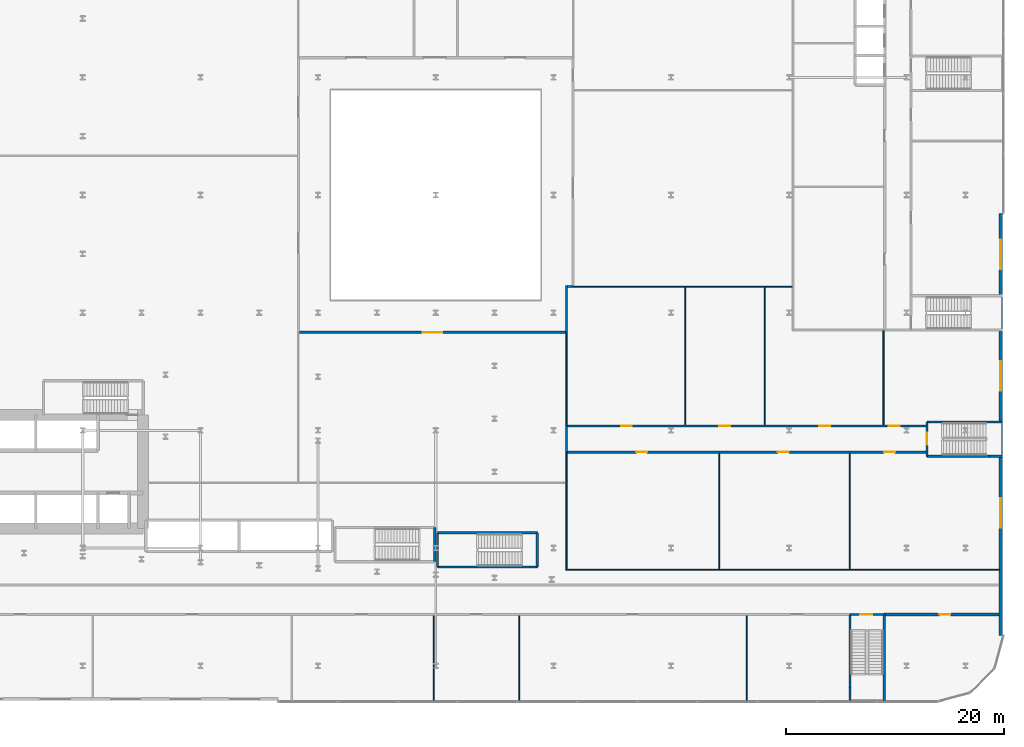
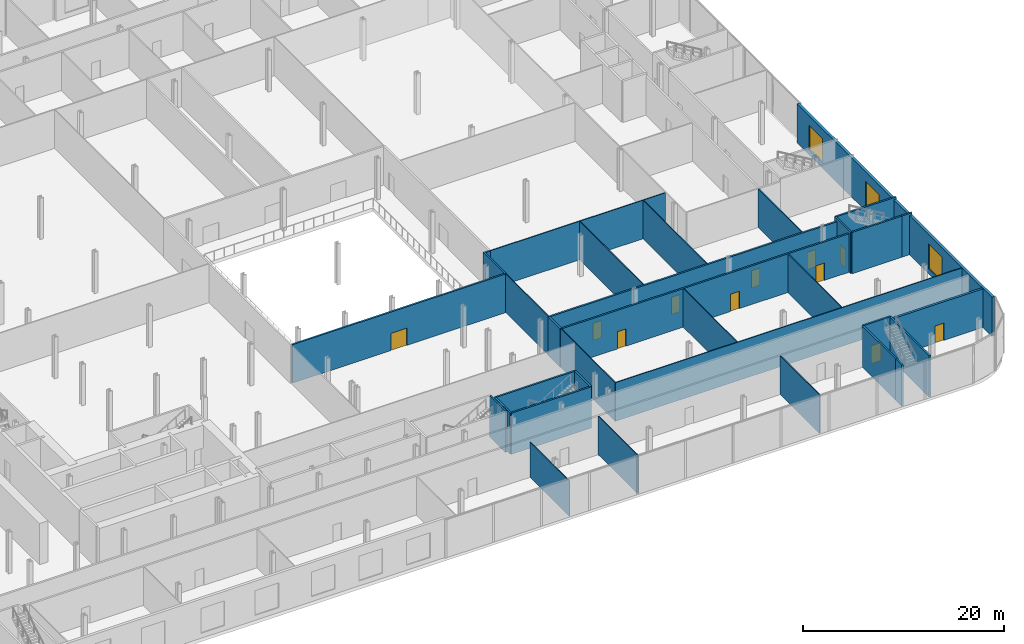
# One storey, part 31 of 47: 33 walls, 11 doors, 3 windows, 14 openings.
"""IFC4 building model written with IfcOpenShell, lengths in metres."""

from ifc_helpers import new_model, si_unit, direction, frame, frame_2d, origin, place, context, subcontext, project, spatial, rectangle, extrude, source, transform, mapped, material, layer, layer_set, type_object, element, fill, save


model = new_model("IFC4")

# Units and contexts
model_context = context("Model", 3, precision=1e-05, world=origin(), true_north=direction((0.0, 1.0)))
body_context = subcontext(model_context, "Body", "Model", "MODEL_VIEW")
ifc_project = project(units=[si_unit("LENGTHUNIT", "METRE"), si_unit("AREAUNIT", "SQUARE_METRE"), si_unit("VOLUMEUNIT", "CUBIC_METRE"), si_unit("PLANEANGLEUNIT", "RADIAN"), si_unit("MASSUNIT", "GRAM", prefix="KILO")], contexts=[model_context])

# Site, building, storey
site_placement = place(None, origin())
site = spatial("IfcSite", under=ifc_project, at=site_placement, CompositionType="ELEMENT")
building_placement = place(site_placement, origin())
building = spatial("IfcBuilding", under=site, at=building_placement, Name="Kheshtan School and Residences Tower", CompositionType="ELEMENT")
storey_placement = place(building_placement, frame((0.0, 0.0, 7.5)))
storey = spatial("IfcBuildingStorey", under=building, at=storey_placement, Name="L01", CompositionType="ELEMENT", Elevation=7.5)

# Wall, opening, door
ifc_material_1 = material(Name="Gypsum board on steel studs with fire boards", Category="steel")
ifc_layer_1 = layer(ifc_material_1, 0.199951171875)
ifc_layer_set_1 = layer_set([ifc_layer_1], Name="Corridor wall 200")
wall_type_1 = type_object("IfcWallType", Name="Corridor wall 200", PredefinedType="PARTITIONING", material=ifc_layer_set_1)
wall_1_placement = place(storey_placement, frame((67.5, 43.800048828125, 0.0), z_axis=(0.0, 0.0, 1.0), x_axis=(1.0, 0.0, 0.0)))
wall_1 = element("IfcWall", 1, at=wall_1_placement, inside=storey, type_object=wall_type_1, Name="Partition L01-032", PredefinedType="PARTITIONING", context=body_context, shape_type="SweptSolid", body=[
    extrude(rectangle(XDim=24.39990234375, YDim=0.199951171875, at=frame_2d((12.199951171875, 0.0))), origin(), (0.0, 0.0, 1.0), 4.679931640625),
])
opening_1_placement = place(wall_1_placement, frame((11.300048828125, 0.0, 0.0)))
opening_1 = element("IfcOpeningElement", 2, at=opening_1_placement, cuts=wall_1, Name="Opening D01-044", PredefinedType="OPENING", context=body_context, shape_type="SweptSolid", body=[
    extrude(rectangle(XDim=1.800048828125, YDim=2.10009765625, at=frame_2d((0.89990234375, 1.050048828125))), frame((0.0, 0.10986328125, 0.0), z_axis=(0.0, -1.0, 0.0), x_axis=(1.0, 0.0, 0.0)), (0.0, 0.0, 1.0), 0.219970703125),
])
ifc_material_2 = material(Name="Steel-framed fire-resisting door leaf", Category="steel")
door_type_1 = type_object("IfcDoorType", Name="Fire double door FD60 1800 x 2100", OperationType="DOUBLE_DOOR_SINGLE_SWING", PredefinedType="DOOR", material=ifc_material_2)
shared_shape_1 = source(origin(), body_context, "Body", "SweptSolid", [
    extrude(rectangle(XDim=1.800048828125, YDim=2.10009765625, at=frame_2d((0.89990234375, 1.050048828125))), frame((0.0, 0.02490234375, 0.0), z_axis=(0.0, -1.0, 0.0), x_axis=(1.0, 0.0, 0.0)), (0.0, 0.0, 1.0), 0.050048828125),
])
door_1_placement = place(opening_1_placement, origin())
door_1 = element("IfcDoor", 3, at=door_1_placement, inside=storey, type_object=door_type_1, Name="Door D01-044", OperationType="DOUBLE_DOOR_SINGLE_SWING", OverallHeight=2.10009765625, OverallWidth=1.800048828125, PredefinedType="DOOR", context=body_context, shape_type="MappedRepresentation", body=[
    mapped(shared_shape_1, transform((0.0, 0.0, 0.0), x_axis=(1.0, 0.0, 0.0), y_axis=(0.0, 1.0, 0.0), z_axis=(0.0, 0.0, 1.0), scale=1.0)),
])
fill(opening_1, door_1)

# Walls
wall_2_placement = place(storey_placement, frame((92.0, 32.800048828125, 0.0), z_axis=(0.0, 0.0, 1.0), x_axis=(0.0, 1.0, 0.0)))
element("IfcWall", 4, at=wall_2_placement, inside=storey, type_object=wall_type_1, Name="Partition L01-047", PredefinedType="PARTITIONING", context=body_context, shape_type="SweptSolid", body=[
    extrude(rectangle(XDim=2.39990234375, YDim=0.199951171875, at=frame_2d((1.199951171875, 0.0))), origin(), (0.0, 0.0, 1.0), 4.679931640625),
])
wall_3_placement = place(storey_placement, frame((92.0, 43.800048828125, 0.0), z_axis=(0.0, 0.0, 1.0), x_axis=(0.0, 1.0, 0.0)))
element("IfcWall", 5, at=wall_3_placement, inside=storey, type_object=wall_type_1, Name="Partition L01-049", PredefinedType="PARTITIONING", context=body_context, shape_type="SweptSolid", body=[
    extrude(rectangle(XDim=4.300048828125, YDim=0.199951171875, at=frame_2d((2.14990234375, 0.0))), origin(), (0.0, 0.0, 1.0), 4.679931640625),
])

# Wall, openings, doors
wall_4_placement = place(storey_placement, frame((92.10009765625, 32.800048828125, 0.0), z_axis=(0.0, 0.0, 1.0), x_axis=(1.0, 0.0, 0.0)))
wall_4 = element("IfcWall", 6, at=wall_4_placement, inside=storey, type_object=wall_type_1, Name="Partition L01-050", PredefinedType="PARTITIONING", context=body_context, shape_type="SweptSolid", body=[
    extrude(rectangle(XDim=32.880859375, YDim=0.199951171875, at=frame_2d((16.4404296875, 0.0))), origin(), (0.0, 0.0, 1.0), 4.679931640625),
])
opening_2_placement = place(wall_4_placement, frame((6.300048828125, 0.0, 0.0)))
opening_2 = element("IfcOpeningElement", 7, at=opening_2_placement, cuts=wall_4, Name="Opening D01-045", PredefinedType="OPENING", context=body_context, shape_type="SweptSolid", body=[
    extrude(rectangle(XDim=1.0, YDim=2.10009765625, at=frame_2d((0.5, 1.050048828125))), frame((0.0, 0.10986328125, 0.0), z_axis=(0.0, -1.0, 0.0), x_axis=(1.0, 0.0, 0.0)), (0.0, 0.0, 1.0), 0.219970703125),
])
opening_3_placement = place(wall_4_placement, frame((19.300048828125, 0.0, 0.0)))
opening_3 = element("IfcOpeningElement", 8, at=opening_3_placement, cuts=wall_4, Name="Opening D01-046", PredefinedType="OPENING", context=body_context, shape_type="SweptSolid", body=[
    extrude(rectangle(XDim=1.0, YDim=2.10009765625, at=frame_2d((0.5, 1.050048828125))), frame((0.0, 0.10986328125, 0.0), z_axis=(0.0, -1.0, 0.0), x_axis=(1.0, 0.0, 0.0)), (0.0, 0.0, 1.0), 0.219970703125),
])
opening_4_placement = place(wall_4_placement, frame((29.050048828125, 0.0, 0.0)))
opening_4 = element("IfcOpeningElement", 9, at=opening_4_placement, cuts=wall_4, Name="Opening D01-047", PredefinedType="OPENING", context=body_context, shape_type="SweptSolid", body=[
    extrude(rectangle(XDim=1.0, YDim=2.10009765625, at=frame_2d((0.5, 1.050048828125))), frame((0.0, 0.10986328125, 0.0), z_axis=(0.0, -1.0, 0.0), x_axis=(1.0, 0.0, 0.0)), (0.0, 0.0, 1.0), 0.219970703125),
])
door_type_2 = type_object("IfcDoorType", Name="Fire door FD60 1000 x 2100", OperationType="SINGLE_SWING_LEFT", PredefinedType="DOOR", material=ifc_material_2)
shared_shape_2 = source(origin(), body_context, "Body", "SweptSolid", [
    extrude(rectangle(XDim=1.0, YDim=2.10009765625, at=frame_2d((0.5, 1.050048828125))), frame((0.0, 0.02490234375, 0.0), z_axis=(0.0, -1.0, 0.0), x_axis=(1.0, 0.0, 0.0)), (0.0, 0.0, 1.0), 0.050048828125),
])
door_2_placement = place(opening_2_placement, origin())
door_2 = element("IfcDoor", 10, at=door_2_placement, inside=storey, type_object=door_type_2, Name="Door D01-045", OperationType="SINGLE_SWING_RIGHT", OverallHeight=2.10009765625, OverallWidth=1.0, PredefinedType="DOOR", context=body_context, shape_type="MappedRepresentation", body=[
    mapped(shared_shape_2, transform((0.0, 0.0, 0.0), x_axis=(1.0, 0.0, 0.0), y_axis=(0.0, 1.0, 0.0), z_axis=(0.0, 0.0, 1.0), scale=1.0)),
])
fill(opening_2, door_2)
door_3_placement = place(opening_3_placement, origin())
door_3 = element("IfcDoor", 11, at=door_3_placement, inside=storey, type_object=door_type_2, Name="Door D01-046", OperationType="SINGLE_SWING_RIGHT", OverallHeight=2.10009765625, OverallWidth=1.0, PredefinedType="DOOR", context=body_context, shape_type="MappedRepresentation", body=[
    mapped(shared_shape_2, transform((0.0, 0.0, 0.0), x_axis=(1.0, 0.0, 0.0), y_axis=(0.0, 1.0, 0.0), z_axis=(0.0, 0.0, 1.0), scale=1.0)),
])
fill(opening_3, door_3)
door_4_placement = place(opening_4_placement, origin())
door_4 = element("IfcDoor", 12, at=door_4_placement, inside=storey, type_object=door_type_2, Name="Door D01-047", OperationType="SINGLE_SWING_LEFT", OverallHeight=2.10009765625, OverallWidth=1.0, PredefinedType="DOOR", context=body_context, shape_type="MappedRepresentation", body=[
    mapped(shared_shape_2, transform((0.0, 0.0, 0.0), x_axis=(1.0, 0.0, 0.0), y_axis=(0.0, 1.0, 0.0), z_axis=(0.0, 0.0, 1.0), scale=1.0)),
])
fill(opening_4, door_4)

wall_5_placement = place(storey_placement, frame((92.10009765625, 35.199951171875, 0.0), z_axis=(0.0, 0.0, 1.0), x_axis=(1.0, 0.0, 0.0)))
wall_5 = element("IfcWall", 13, at=wall_5_placement, inside=storey, type_object=wall_type_1, Name="Partition L01-051", PredefinedType="PARTITIONING", context=body_context, shape_type="SweptSolid", body=[
    extrude(rectangle(XDim=32.8798828125, YDim=0.199951171875, at=frame_2d((16.43994140625, 0.0))), origin(), (0.0, 0.0, 1.0), 4.679931640625),
])
opening_5_placement = place(wall_5_placement, frame((4.908935546875, 0.0, 0.0)))
opening_5 = element("IfcOpeningElement", 14, at=opening_5_placement, cuts=wall_5, Name="Opening D01-048", PredefinedType="OPENING", context=body_context, shape_type="SweptSolid", body=[
    extrude(rectangle(XDim=1.0, YDim=2.10009765625, at=frame_2d((0.5, 1.050048828125))), frame((0.0, 0.10986328125, 0.0), z_axis=(0.0, -1.0, 0.0), x_axis=(1.0, 0.0, 0.0)), (0.0, 0.0, 1.0), 0.219970703125),
])
opening_6_placement = place(wall_5_placement, frame((13.931884765625, 0.0, 0.0)))
opening_6 = element("IfcOpeningElement", 15, at=opening_6_placement, cuts=wall_5, Name="Opening D01-049", PredefinedType="OPENING", context=body_context, shape_type="SweptSolid", body=[
    extrude(rectangle(XDim=1.0, YDim=2.10009765625, at=frame_2d((0.5, 1.050048828125))), frame((0.0, 0.10986328125, 0.0), z_axis=(0.0, -1.0, 0.0), x_axis=(1.0, 0.0, 0.0)), (0.0, 0.0, 1.0), 0.219970703125),
])
opening_7_placement = place(wall_5_placement, frame((23.091064453125, 0.0, 0.0)))
opening_7 = element("IfcOpeningElement", 16, at=opening_7_placement, cuts=wall_5, Name="Opening D01-050", PredefinedType="OPENING", context=body_context, shape_type="SweptSolid", body=[
    extrude(rectangle(XDim=1.0, YDim=2.10009765625, at=frame_2d((0.5, 1.050048828125))), frame((0.0, 0.10986328125, 0.0), z_axis=(0.0, -1.0, 0.0), x_axis=(1.0, 0.0, 0.0)), (0.0, 0.0, 1.0), 0.219970703125),
])
opening_8_placement = place(wall_5_placement, frame((29.47705078125, 0.0, 0.0)))
opening_8 = element("IfcOpeningElement", 17, at=opening_8_placement, cuts=wall_5, Name="Opening D01-051", PredefinedType="OPENING", context=body_context, shape_type="SweptSolid", body=[
    extrude(rectangle(XDim=1.0, YDim=2.10009765625, at=frame_2d((0.5, 1.050048828125))), frame((0.0, 0.10986328125, 0.0), z_axis=(0.0, -1.0, 0.0), x_axis=(1.0, 0.0, 0.0)), (0.0, 0.0, 1.0), 0.219970703125),
])
door_5_placement = place(opening_5_placement, origin())
door_5 = element("IfcDoor", 18, at=door_5_placement, inside=storey, type_object=door_type_2, Name="Door D01-048", OperationType="SINGLE_SWING_LEFT", OverallHeight=2.10009765625, OverallWidth=1.0, PredefinedType="DOOR", context=body_context, shape_type="MappedRepresentation", body=[
    mapped(shared_shape_2, transform((0.0, 0.0, 0.0), x_axis=(1.0, 0.0, 0.0), y_axis=(0.0, 1.0, 0.0), z_axis=(0.0, 0.0, 1.0), scale=1.0)),
])
fill(opening_5, door_5)
door_6_placement = place(opening_6_placement, origin())
door_6 = element("IfcDoor", 19, at=door_6_placement, inside=storey, type_object=door_type_2, Name="Door D01-049", OperationType="SINGLE_SWING_LEFT", OverallHeight=2.10009765625, OverallWidth=1.0, PredefinedType="DOOR", context=body_context, shape_type="MappedRepresentation", body=[
    mapped(shared_shape_2, transform((0.0, 0.0, 0.0), x_axis=(1.0, 0.0, 0.0), y_axis=(0.0, 1.0, 0.0), z_axis=(0.0, 0.0, 1.0), scale=1.0)),
])
fill(opening_6, door_6)
door_7_placement = place(opening_7_placement, origin())
door_7 = element("IfcDoor", 20, at=door_7_placement, inside=storey, type_object=door_type_2, Name="Door D01-050", OperationType="SINGLE_SWING_LEFT", OverallHeight=2.10009765625, OverallWidth=1.0, PredefinedType="DOOR", context=body_context, shape_type="MappedRepresentation", body=[
    mapped(shared_shape_2, transform((0.0, 0.0, 0.0), x_axis=(1.0, 0.0, 0.0), y_axis=(0.0, 1.0, 0.0), z_axis=(0.0, 0.0, 1.0), scale=1.0)),
])
fill(opening_7, door_7)
door_8_placement = place(opening_8_placement, origin())
door_8 = element("IfcDoor", 21, at=door_8_placement, inside=storey, type_object=door_type_2, Name="Door D01-051", OperationType="SINGLE_SWING_LEFT", OverallHeight=2.10009765625, OverallWidth=1.0, PredefinedType="DOOR", context=body_context, shape_type="MappedRepresentation", body=[
    mapped(shared_shape_2, transform((0.0, 0.0, 0.0), x_axis=(1.0, 0.0, 0.0), y_axis=(0.0, 1.0, 0.0), z_axis=(0.0, 0.0, 1.0), scale=1.0)),
])
fill(opening_8, door_8)

# Walls
wall_6_placement = place(storey_placement, frame((92.10009765625, 48.0, 0.0), z_axis=(0.0, 0.0, 1.0), x_axis=(1.0, 0.0, 0.0)))
element("IfcWall", 22, at=wall_6_placement, inside=storey, type_object=wall_type_1, Name="Partition L01-052", PredefinedType="PARTITIONING", context=body_context, shape_type="SweptSolid", body=[
    extrude(rectangle(XDim=0.5, YDim=0.199951171875, at=frame_2d((0.25, 0.0))), origin(), (0.0, 0.0, 1.0), 4.679931640625),
])
ifc_material_3 = material(Name="Gypsum board on steel studs", Category="steel")
ifc_layer_2 = layer(ifc_material_3, 0.10009765625)
ifc_layer_set_2 = layer_set([ifc_layer_2], Name="Gypsum partition 100")
wall_type_2 = type_object("IfcWallType", Name="Gypsum partition 100", PredefinedType="PARTITIONING", material=ifc_layer_set_2)
wall_7_placement = place(storey_placement, frame((79.825927734375, 10.0, 0.0), z_axis=(0.0, 0.0, 1.0), x_axis=(0.0, 1.0, 0.0)))
element("IfcWall", 23, at=wall_7_placement, inside=storey, type_object=wall_type_2, Name="Partition L01-038", PredefinedType="PARTITIONING", context=body_context, shape_type="SweptSolid", body=[
    extrude(rectangle(XDim=7.800048828125, YDim=0.10009765625, at=frame_2d((3.89990234375, 0.0))), origin(), (0.0, 0.0, 1.0), 4.262939453125),
])
wall_8_placement = place(storey_placement, frame((87.652099609375, 10.0, 0.0), z_axis=(0.0, 0.0, 1.0), x_axis=(0.0, 1.0, 0.0)))
element("IfcWall", 24, at=wall_8_placement, inside=storey, type_object=wall_type_2, Name="Partition L01-044", PredefinedType="PARTITIONING", context=body_context, shape_type="SweptSolid", body=[
    extrude(rectangle(XDim=7.800048828125, YDim=0.10009765625, at=frame_2d((3.89990234375, 0.0))), origin(), (0.0, 0.0, 1.0), 4.679931640625),
])
wall_9_placement = place(storey_placement, frame((91.949951171875, 22.0, 0.0), z_axis=(0.0, 0.0, 1.0), x_axis=(1.0, 0.0, 0.0)))
element("IfcWall", 25, at=wall_9_placement, inside=storey, type_object=wall_type_2, Name="Partition L01-045", PredefinedType="PARTITIONING", context=body_context, shape_type="SweptSolid", body=[
    extrude(rectangle(XDim=39.7509765625, YDim=0.10009765625, at=frame_2d((19.87548828125, 0.0))), origin(), (0.0, 0.0, 1.0), 4.679931640625),
])
wall_10_placement = place(storey_placement, frame((92.0, 22.050048828125, 0.0), z_axis=(0.0, 0.0, 1.0), x_axis=(0.0, 1.0, 0.0)))
element("IfcWall", 26, at=wall_10_placement, inside=storey, type_object=wall_type_2, Name="Partition L01-046", PredefinedType="PARTITIONING", context=body_context, shape_type="SweptSolid", body=[
    extrude(rectangle(XDim=10.75, YDim=0.10009765625, at=frame_2d((5.375, 0.0))), origin(), (0.0, 0.0, 1.0), 4.679931640625),
])
wall_11_placement = place(storey_placement, frame((92.0, 35.199951171875, 0.0), z_axis=(0.0, 0.0, 1.0), x_axis=(0.0, 1.0, 0.0)))
element("IfcWall", 27, at=wall_11_placement, inside=storey, type_object=wall_type_2, Name="Partition L01-048", PredefinedType="PARTITIONING", context=body_context, shape_type="SweptSolid", body=[
    extrude(rectangle(XDim=8.60009765625, YDim=0.10009765625, at=frame_2d((4.300048828125, 0.0))), origin(), (0.0, 0.0, 1.0), 4.679931640625),
])
wall_12_placement = place(storey_placement, frame((92.60009765625, 48.0, 0.0), z_axis=(0.0, 0.0, 1.0), x_axis=(1.0, 0.0, 0.0)))
element("IfcWall", 28, at=wall_12_placement, inside=storey, type_object=wall_type_2, Name="Partition L01-053", PredefinedType="PARTITIONING", context=body_context, shape_type="SweptSolid", body=[
    extrude(rectangle(XDim=20.137939453125, YDim=0.10009765625, at=frame_2d((10.06884765625, 0.0))), origin(), (0.0, 0.0, 1.0), 4.679931640625),
])
wall_13_placement = place(storey_placement, frame((102.908935546875, 35.300048828125, 0.0), z_axis=(0.0, 0.0, 1.0), x_axis=(0.0, 1.0, 0.0)))
element("IfcWall", 29, at=wall_13_placement, inside=storey, type_object=wall_type_2, Name="Partition L01-061", PredefinedType="PARTITIONING", context=body_context, shape_type="SweptSolid", body=[
    extrude(rectangle(XDim=12.64990234375, YDim=0.10009765625, at=frame_2d((6.324951171875, 0.0))), origin(), (0.0, 0.0, 1.0), 4.679931640625),
])
wall_14_placement = place(storey_placement, frame((106.0, 22.050048828125, 0.0), z_axis=(0.0, 0.0, 1.0), x_axis=(0.0, 1.0, 0.0)))
element("IfcWall", 30, at=wall_14_placement, inside=storey, type_object=wall_type_2, Name="Partition L01-062", PredefinedType="PARTITIONING", context=body_context, shape_type="SweptSolid", body=[
    extrude(rectangle(XDim=10.64990234375, YDim=0.10009765625, at=frame_2d((5.324951171875, 0.0))), origin(), (0.0, 0.0, 1.0), 4.679931640625),
])
wall_15_placement = place(storey_placement, frame((108.52197265625, 10.0, 0.0), z_axis=(0.0, 0.0, 1.0), x_axis=(0.0, 1.0, 0.0)))
element("IfcWall", 31, at=wall_15_placement, inside=storey, type_object=wall_type_2, Name="Partition L01-064", PredefinedType="PARTITIONING", context=body_context, shape_type="SweptSolid", body=[
    extrude(rectangle(XDim=7.800048828125, YDim=0.10009765625, at=frame_2d((3.89990234375, 0.0))), origin(), (0.0, 0.0, 1.0), 4.679931640625),
])
wall_16_placement = place(storey_placement, frame((110.181884765625, 35.300048828125, 0.0), z_axis=(0.0, 0.0, 1.0), x_axis=(0.0, 1.0, 0.0)))
element("IfcWall", 32, at=wall_16_placement, inside=storey, type_object=wall_type_2, Name="Partition L01-065", PredefinedType="PARTITIONING", context=body_context, shape_type="SweptSolid", body=[
    extrude(rectangle(XDim=12.64990234375, YDim=0.10009765625, at=frame_2d((6.324951171875, 0.0))), origin(), (0.0, 0.0, 1.0), 4.679931640625),
])
wall_17_placement = place(storey_placement, frame((118.0, 22.050048828125, 0.0), z_axis=(0.0, 0.0, 1.0), x_axis=(0.0, 1.0, 0.0)))
element("IfcWall", 33, at=wall_17_placement, inside=storey, type_object=wall_type_2, Name="Partition L01-074", PredefinedType="PARTITIONING", context=body_context, shape_type="SweptSolid", body=[
    extrude(rectangle(XDim=10.64990234375, YDim=0.10009765625, at=frame_2d((5.324951171875, 0.0))), origin(), (0.0, 0.0, 1.0), 4.679931640625),
])
wall_18_placement = place(storey_placement, frame((121.091064453125, 35.300048828125, 0.0), z_axis=(0.0, 0.0, 1.0), x_axis=(0.0, 1.0, 0.0)))
element("IfcWall", 34, at=wall_18_placement, inside=storey, type_object=wall_type_2, Name="Partition L01-079", PredefinedType="PARTITIONING", context=body_context, shape_type="SweptSolid", body=[
    extrude(rectangle(XDim=8.637939453125, YDim=0.10009765625, at=frame_2d((4.31884765625, 0.0))), origin(), (0.0, 0.0, 1.0), 4.679931640625),
])

# Wall, opening, door
ifc_material_4 = material(Name="Fire-board and steel stud wall with mineral wool", Category="steel")
ifc_layer_3 = layer(ifc_material_4, 0.25)
ifc_layer_set_3 = layer_set([ifc_layer_3], Name="Plant room wall 250")
wall_type_3 = type_object("IfcWallType", Name="Plant room wall 250", PredefinedType="PARTITIONING", material=ifc_layer_set_3)
wall_19_placement = place(storey_placement, frame((121.14990234375, 17.89990234375, 0.0), z_axis=(0.0, 0.0, 1.0), x_axis=(1.0, 0.0, 0.0)))
wall_19 = element("IfcWall", 35, at=wall_19_placement, inside=storey, type_object=wall_type_3, Name="Partition L01-080", PredefinedType="PARTITIONING", context=body_context, shape_type="SweptSolid", body=[
    extrude(rectangle(XDim=10.551025390625, YDim=0.25, at=frame_2d((5.275390625, 0.0))), origin(), (0.0, 0.0, 1.0), 4.679931640625),
])
opening_9_placement = place(wall_19_placement, frame((5.06494140625, 0.0, 0.0)))
opening_9 = element("IfcOpeningElement", 36, at=opening_9_placement, cuts=wall_19, Name="Opening D01-043", PredefinedType="OPENING", context=body_context, shape_type="SweptSolid", body=[
    extrude(rectangle(XDim=1.0, YDim=2.10009765625, at=frame_2d((0.5, 1.050048828125))), frame((0.0, 0.135009765625, 0.0), z_axis=(0.0, -1.0, 0.0), x_axis=(1.0, 0.0, 0.0)), (0.0, 0.0, 1.0), 0.27001953125),
])
door_type_3 = type_object("IfcDoorType", Name="Fire door FD120 1000 x 2100", OperationType="SINGLE_SWING_LEFT", PredefinedType="DOOR", material=ifc_material_2)
shared_shape_3 = source(origin(), body_context, "Body", "SweptSolid", [
    extrude(rectangle(XDim=1.0, YDim=2.10009765625, at=frame_2d((0.5, 1.050048828125))), frame((0.0, 0.02490234375, 0.0), z_axis=(0.0, -1.0, 0.0), x_axis=(1.0, 0.0, 0.0)), (0.0, 0.0, 1.0), 0.050048828125),
])
door_9_placement = place(opening_9_placement, origin())
door_9 = element("IfcDoor", 37, at=door_9_placement, inside=storey, type_object=door_type_3, Name="Door D01-043", OperationType="SINGLE_SWING_RIGHT", OverallHeight=2.10009765625, OverallWidth=1.0, PredefinedType="DOOR", context=body_context, shape_type="MappedRepresentation", body=[
    mapped(shared_shape_3, transform((0.0, 0.0, 0.0), x_axis=(1.0, 0.0, 0.0), y_axis=(0.0, 1.0, 0.0), z_axis=(0.0, 0.0, 1.0), scale=1.0)),
])
fill(opening_9, door_9)

# Wall, openings, windows
ifc_material_5 = material(Name="Concrete C40/50 with ceramic cladding and mineral wool insulation", Category="concrete")
ifc_layer_4 = layer(ifc_material_5, 0.300048828125)
ifc_layer_set_4 = layer_set([ifc_layer_4], Name="Podium external wall 300")
wall_type_4 = type_object("IfcWallType", Name="Podium external wall 300", PredefinedType="SOLIDWALL", material=ifc_layer_set_4)
wall_20_placement = place(storey_placement, frame((131.85009765625, 54.719970703125, 0.0), z_axis=(0.0, 0.0, 1.0), x_axis=(0.0, -1.0, 0.0)))
wall_20 = element("IfcWall", 38, at=wall_20_placement, inside=storey, type_object=wall_type_4, Name="Podium external wall L01 8.1", PredefinedType="SOLIDWALL", context=body_context, shape_type="SweptSolid", body=[
    extrude(rectangle(XDim=38.719970703125, YDim=0.300048828125, at=frame_2d((19.35986328125, 0.0))), origin(), (0.0, 0.0, 1.0), 4.75),
])
opening_10_placement = place(wall_20_placement, frame((2.43505859375, 0.0, 0.60009765625)))
opening_10 = element("IfcOpeningElement", 39, at=opening_10_placement, cuts=wall_20, Name="Opening WN-F", PredefinedType="OPENING", context=body_context, shape_type="SweptSolid", body=[
    extrude(rectangle(XDim=2.699951171875, YDim=3.0, at=frame_2d((1.35009765625, 1.5))), frame((0.0, 0.16015625, 0.0), z_axis=(0.0, -1.0, 0.0), x_axis=(1.0, 0.0, 0.0)), (0.0, 0.0, 1.0), 0.320068359375),
])
opening_11_placement = place(wall_20_placement, frame((13.580078125, 0.0, 0.60009765625)))
opening_11 = element("IfcOpeningElement", 40, at=opening_11_placement, cuts=wall_20, Name="Opening WN-F", PredefinedType="OPENING", context=body_context, shape_type="SweptSolid", body=[
    extrude(rectangle(XDim=2.699951171875, YDim=3.0, at=frame_2d((1.35009765625, 1.5))), frame((0.0, 0.16015625, 0.0), z_axis=(0.0, -1.0, 0.0), x_axis=(1.0, 0.0, 0.0)), (0.0, 0.0, 1.0), 0.320068359375),
])
opening_12_placement = place(wall_20_placement, frame((26.159912109375, 0.0, 0.60009765625)))
opening_12 = element("IfcOpeningElement", 41, at=opening_12_placement, cuts=wall_20, Name="Opening WN-F", PredefinedType="OPENING", context=body_context, shape_type="SweptSolid", body=[
    extrude(rectangle(XDim=2.699951171875, YDim=3.0, at=frame_2d((1.35009765625, 1.5))), frame((0.0, 0.16015625, 0.0), z_axis=(0.0, -1.0, 0.0), x_axis=(1.0, 0.0, 0.0)), (0.0, 0.0, 1.0), 0.320068359375),
])
ifc_material_6 = material(Name="Clear low-e glass in thermally broken aluminium frame", Category="aluminium")
window_type = type_object("IfcWindowType", Name="Window WN-F", PartitioningType="SINGLE_PANEL", PredefinedType="WINDOW", material=ifc_material_6)
shared_shape_4 = source(origin(), body_context, "Body", "SweptSolid", [
    extrude(rectangle(XDim=2.699951171875, YDim=3.0, at=frame_2d((1.35009765625, 1.5))), frame((0.0, 0.030029296875, 0.0), z_axis=(0.0, -1.0, 0.0), x_axis=(1.0, 0.0, 0.0)), (0.0, 0.0, 1.0), 0.06005859375),
])
window_1_placement = place(opening_10_placement, origin())
window_1 = element("IfcWindow", 42, at=window_1_placement, inside=storey, type_object=window_type, Name="Window L01 8.1.1", OverallHeight=3.0, OverallWidth=2.699951171875, PartitioningType="SINGLE_PANEL", PredefinedType="WINDOW", context=body_context, shape_type="MappedRepresentation", body=[
    mapped(shared_shape_4, transform((0.0, 0.0, 0.0), x_axis=(1.0, 0.0, 0.0), y_axis=(0.0, 1.0, 0.0), z_axis=(0.0, 0.0, 1.0), scale=1.0)),
])
fill(opening_10, window_1)
window_2_placement = place(opening_11_placement, origin())
window_2 = element("IfcWindow", 43, at=window_2_placement, inside=storey, type_object=window_type, Name="Window L01 8.1.2", OverallHeight=3.0, OverallWidth=2.699951171875, PartitioningType="SINGLE_PANEL", PredefinedType="WINDOW", context=body_context, shape_type="MappedRepresentation", body=[
    mapped(shared_shape_4, transform((0.0, 0.0, 0.0), x_axis=(1.0, 0.0, 0.0), y_axis=(0.0, 1.0, 0.0), z_axis=(0.0, 0.0, 1.0), scale=1.0)),
])
fill(opening_11, window_2)
window_3_placement = place(opening_12_placement, origin())
window_3 = element("IfcWindow", 44, at=window_3_placement, inside=storey, type_object=window_type, Name="Window L01 8.1.3", OverallHeight=3.0, OverallWidth=2.699951171875, PartitioningType="SINGLE_PANEL", PredefinedType="WINDOW", context=body_context, shape_type="MappedRepresentation", body=[
    mapped(shared_shape_4, transform((0.0, 0.0, 0.0), x_axis=(1.0, 0.0, 0.0), y_axis=(0.0, 1.0, 0.0), z_axis=(0.0, 0.0, 1.0), scale=1.0)),
])
fill(opening_12, window_3)

# Walls
ifc_material_7 = material(Name="Concrete C40/50", Category="concrete")
ifc_layer_5 = layer(ifc_material_7, 0.199951171875)
ifc_layer_set_5 = layer_set([ifc_layer_5], Name="Stair enclosure wall 200 Concrete C40/50")
wall_type_5 = type_object("IfcWallType", Name="Stair enclosure wall 200 Concrete C40/50", PredefinedType="SHEAR", material=ifc_layer_set_5)
for number, where, z_axis, x_axis, name in (
    (45, (80.159912109375, 22.25, 0.0), (0.0, 0.0, 1.0), (1.0, 0.0, 0.0), "Stair enclosure wall ST4"),
    (46, (80.159912109375, 25.39990234375, 0.0), (0.0, 0.0, 1.0), (1.0, 0.0, 0.0), "Stair enclosure wall ST4"),
):
    element("IfcWall", number, at=place(storey_placement, frame(where, z_axis=z_axis, x_axis=x_axis)), inside=storey, type_object=wall_type_5, Name=name, PredefinedType="SHEAR", context=body_context, shape_type="SweptSolid", body=[
        extrude(rectangle(XDim=9.16015625, YDim=0.199951171875, at=frame_2d((4.580078125, 0.0))), origin(), (0.0, 0.0, 1.0), 5.0),
    ])
for number, where, z_axis, x_axis, name in (
    (47, (80.159912109375, 22.25, 0.0), (0.0, 0.0, 1.0), (0.0, 1.0, 0.0), "Stair enclosure wall ST4"),
    (48, (89.320068359375, 22.25, 0.0), (0.0, 0.0, 1.0), (0.0, 1.0, 0.0), "Stair enclosure wall ST4"),
    (49, (79.909912109375, 22.75, 0.0), (0.0, 0.0, 1.0), (0.0, 1.0, 0.0), "Stair enclosure wall ST5"),
):
    element("IfcWall", number, at=place(storey_placement, frame(where, z_axis=z_axis, x_axis=x_axis)), inside=storey, type_object=wall_type_5, Name=name, PredefinedType="SHEAR", context=body_context, shape_type="SweptSolid", body=[
        extrude(rectangle(XDim=3.14990234375, YDim=0.199951171875, at=frame_2d((1.574951171875, 0.0))), origin(), (0.0, 0.0, 1.0), 5.0),
    ])

# Wall, opening, door
wall_21_placement = place(storey_placement, frame((118.0, 17.89990234375, 0.0), z_axis=(0.0, 0.0, 1.0), x_axis=(1.0, 0.0, 0.0)))
wall_21 = element("IfcWall", 50, at=wall_21_placement, inside=storey, type_object=wall_type_5, Name="Stair enclosure wall", PredefinedType="SHEAR", context=body_context, shape_type="SweptSolid", body=[
    extrude(rectangle(XDim=3.14990234375, YDim=0.199951171875, at=frame_2d((1.574951171875, 0.0))), origin(), (0.0, 0.0, 1.0), 5.0),
])
opening_13_placement = place(wall_21_placement, frame((0.949951171875, 0.0, 0.0)))
opening_13 = element("IfcOpeningElement", 51, at=opening_13_placement, cuts=wall_21, Name="Opening SD90", PredefinedType="OPENING", context=body_context, shape_type="SweptSolid", body=[
    extrude(rectangle(XDim=1.10009765625, YDim=2.199951171875, at=frame_2d((0.550048828125, 1.10009765625))), frame((0.0, 0.10986328125, 0.0), z_axis=(0.0, -1.0, 0.0), x_axis=(1.0, 0.0, 0.0)), (0.0, 0.0, 1.0), 0.219970703125),
])
ifc_material_8 = material(Name="Steel door leaf, galvanised", Category="steel")
door_type_4 = type_object("IfcDoorType", Name="Stair door 1100 steel 90 min", OperationType="SINGLE_SWING_LEFT", PredefinedType="DOOR", material=ifc_material_8)
shared_shape_5 = source(origin(), body_context, "Body", "SweptSolid", [
    extrude(rectangle(XDim=1.10009765625, YDim=2.199951171875, at=frame_2d((0.550048828125, 1.10009765625))), frame((0.0, 0.02490234375, 0.0), z_axis=(0.0, -1.0, 0.0), x_axis=(1.0, 0.0, 0.0)), (0.0, 0.0, 1.0), 0.050048828125),
])
door_10_placement = place(opening_13_placement, origin())
door_10 = element("IfcDoor", 52, at=door_10_placement, inside=storey, type_object=door_type_4, Name="Stair door", OperationType="SINGLE_SWING_RIGHT", OverallHeight=2.199951171875, OverallWidth=1.10009765625, PredefinedType="DOOR", context=body_context, shape_type="MappedRepresentation", body=[
    mapped(shared_shape_5, transform((0.0, 0.0, 0.0), x_axis=(1.0, 0.0, 0.0), y_axis=(0.0, 1.0, 0.0), z_axis=(0.0, 0.0, 1.0), scale=1.0)),
])
fill(opening_13, door_10)

# Walls
wall_22_placement = place(storey_placement, frame((118.0, 10.0, 0.0), z_axis=(0.0, 0.0, 1.0), x_axis=(0.0, 1.0, 0.0)))
element("IfcWall", 53, at=wall_22_placement, inside=storey, type_object=wall_type_5, Name="Stair enclosure wall", PredefinedType="SHEAR", context=body_context, shape_type="SweptSolid", body=[
    extrude(rectangle(XDim=1.199951171875, YDim=0.199951171875, at=frame_2d((0.60009765625, 0.0))), origin(), (0.0, 0.0, 1.0), 5.0),
])
wall_23_placement = place(storey_placement, frame((118.0, 11.199951171875, 0.0), z_axis=(0.0, 0.0, 1.0), x_axis=(0.0, 1.0, 0.0)))
element("IfcWall", 54, at=wall_23_placement, inside=storey, type_object=wall_type_5, Name="Stair enclosure wall", PredefinedType="SHEAR", context=body_context, shape_type="SweptSolid", body=[
    extrude(rectangle(XDim=6.699951171875, YDim=0.199951171875, at=frame_2d((3.35009765625, 0.0))), origin(), (0.0, 0.0, 1.0), 5.0),
])
wall_24_placement = place(storey_placement, frame((121.14990234375, 10.0, 0.0), z_axis=(0.0, 0.0, 1.0), x_axis=(0.0, 1.0, 0.0)))
element("IfcWall", 55, at=wall_24_placement, inside=storey, type_object=wall_type_5, Name="Stair enclosure wall", PredefinedType="SHEAR", context=body_context, shape_type="SweptSolid", body=[
    extrude(rectangle(XDim=7.89990234375, YDim=0.199951171875, at=frame_2d((3.949951171875, 0.0))), origin(), (0.0, 0.0, 1.0), 5.0),
])
wall_25_placement = place(storey_placement, frame((125.080078125, 32.425048828125, 0.0), z_axis=(0.0, 0.0, 1.0), x_axis=(1.0, 0.0, 0.0)))
element("IfcWall", 56, at=wall_25_placement, inside=storey, type_object=wall_type_5, Name="Stair enclosure wall", PredefinedType="SHEAR", context=body_context, shape_type="SweptSolid", body=[
    extrude(rectangle(XDim=5.719970703125, YDim=0.199951171875, at=frame_2d((2.85986328125, 0.0))), origin(), (0.0, 0.0, 1.0), 5.0),
])
wall_26_placement = place(storey_placement, frame((130.800048828125, 32.425048828125, 0.0), z_axis=(0.0, 0.0, 1.0), x_axis=(1.0, 0.0, 0.0)))
element("IfcWall", 57, at=wall_26_placement, inside=storey, type_object=wall_type_5, Name="Stair enclosure wall", PredefinedType="SHEAR", context=body_context, shape_type="SweptSolid", body=[
    extrude(rectangle(XDim=1.199951171875, YDim=0.199951171875, at=frame_2d((0.60009765625, 0.0))), origin(), (0.0, 0.0, 1.0), 5.0),
])
wall_27_placement = place(storey_placement, frame((125.080078125, 35.574951171875, 0.0), z_axis=(0.0, 0.0, 1.0), x_axis=(1.0, 0.0, 0.0)))
element("IfcWall", 58, at=wall_27_placement, inside=storey, type_object=wall_type_5, Name="Stair enclosure wall", PredefinedType="SHEAR", context=body_context, shape_type="SweptSolid", body=[
    extrude(rectangle(XDim=6.919921875, YDim=0.199951171875, at=frame_2d((3.4599609375, 0.0))), origin(), (0.0, 0.0, 1.0), 5.0),
])

# Wall, opening, door
wall_28_placement = place(storey_placement, frame((125.080078125, 32.425048828125, 0.0), z_axis=(0.0, 0.0, 1.0), x_axis=(0.0, 1.0, 0.0)))
wall_28 = element("IfcWall", 59, at=wall_28_placement, inside=storey, type_object=wall_type_5, Name="Stair enclosure wall", PredefinedType="SHEAR", context=body_context, shape_type="SweptSolid", body=[
    extrude(rectangle(XDim=3.14990234375, YDim=0.199951171875, at=frame_2d((1.574951171875, 0.0))), origin(), (0.0, 0.0, 1.0), 5.0),
])
opening_14_placement = place(wall_28_placement, frame((1.074951171875, 0.0, 0.0)))
opening_14 = element("IfcOpeningElement", 60, at=opening_14_placement, cuts=wall_28, Name="Opening SD90", PredefinedType="OPENING", context=body_context, shape_type="SweptSolid", body=[
    extrude(rectangle(XDim=1.10009765625, YDim=2.199951171875, at=frame_2d((0.550048828125, 1.10009765625))), frame((0.0, 0.10986328125, 0.0), z_axis=(0.0, -1.0, 0.0), x_axis=(1.0, 0.0, 0.0)), (0.0, 0.0, 1.0), 0.219970703125),
])
door_11_placement = place(opening_14_placement, origin())
door_11 = element("IfcDoor", 61, at=door_11_placement, inside=storey, type_object=door_type_4, Name="Stair door", OperationType="SINGLE_SWING_LEFT", OverallHeight=2.199951171875, OverallWidth=1.10009765625, PredefinedType="DOOR", context=body_context, shape_type="MappedRepresentation", body=[
    mapped(shared_shape_5, transform((0.0, 0.0, 0.0), x_axis=(1.0, 0.0, 0.0), y_axis=(0.0, 1.0, 0.0), z_axis=(0.0, 0.0, 1.0), scale=1.0)),
])
fill(opening_14, door_11)

save(model, "model.ifc")
